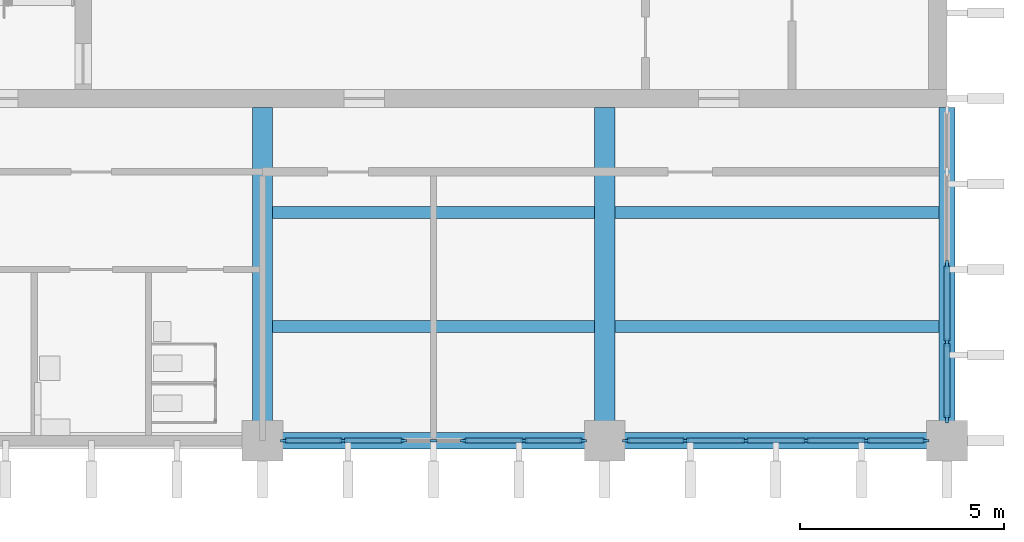
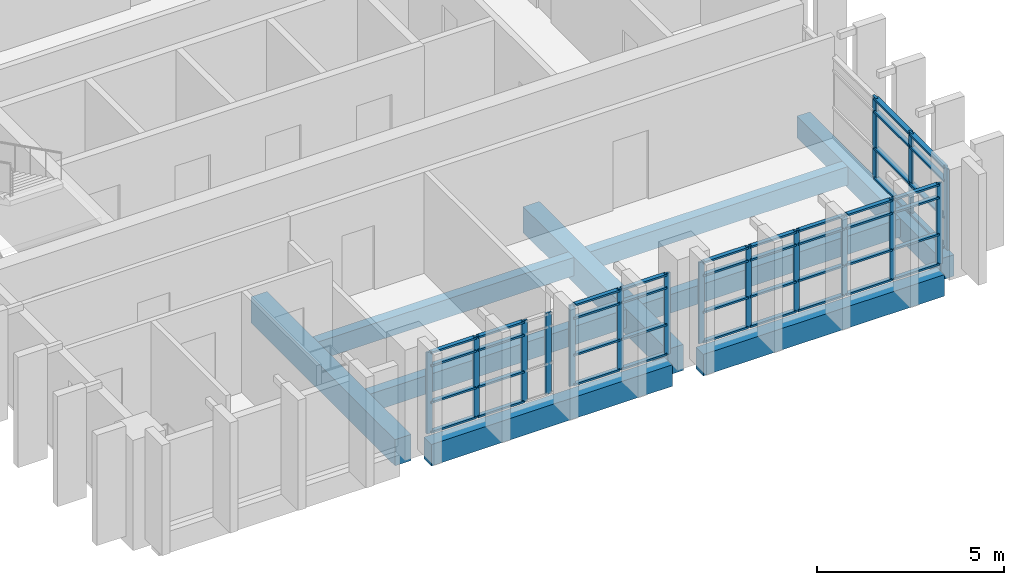
# One storey, part 2 of 11: 60 members, 9 beams, 3 elements without a shape of their own.
"""IFC4 building model written with IfcOpenShell, lengths in metres."""

from ifc_helpers import new_model, si_unit, direction, frame, origin, origin_2d, place, context, subcontext, project, spatial, rectangle, extrude, material, layer, layer_set, material_profile, profile_set, type_object, element, aggregate, save


model = new_model("IFC4")

# Units and contexts
model_context = context("Model", 3, precision=1e-05, world=origin(), true_north=direction((0.0, 1.0)))
body_context = subcontext(model_context, "Body", "Model", "MODEL_VIEW")
ifc_project = project(units=[si_unit("LENGTHUNIT", "METRE"), si_unit("AREAUNIT", "SQUARE_METRE"), si_unit("VOLUMEUNIT", "CUBIC_METRE"), si_unit("PLANEANGLEUNIT", "RADIAN"), si_unit("MASSUNIT", "GRAM", prefix="KILO")], contexts=[model_context])

# Site, building, storey
site_placement = place(None, origin())
site = spatial("IfcSite", under=ifc_project, at=site_placement, CompositionType="ELEMENT")
building_placement = place(site_placement, origin())
building = spatial("IfcBuilding", under=site, at=building_placement, Name="Rulbaag Community and Learning Centre", CompositionType="ELEMENT")
storey_placement = place(building_placement, frame((0.0, 0.0, 21.60009765625)))
storey = spatial("IfcBuildingStorey", under=building, at=storey_placement, Name="L05", CompositionType="ELEMENT", Elevation=21.60009765625)

# Beams
ifc_material_1 = material(Name="Concrete M40", Category="concrete")
ifc_material_profile_1 = material_profile(ifc_material_1, rectangle(XDim=0.39990234375, YDim=0.699951171875, at=origin_2d()), Name="RB400x700")
ifc_profile_set_1 = profile_set([ifc_material_profile_1], Name="Concrete M40")
beam_type_1 = type_object("IfcBeamType", Name="B17 Tower edge beam, lower zone 400x700 Concrete M40", PredefinedType="BEAM", material=ifc_profile_set_1)
beam_1_placement = place(storey_placement, frame((151.679931640625, 84.0, -0.60009765625), z_axis=(1.0, 0.0, 0.0), x_axis=(0.0, 1.0, 0.0)))
element("IfcBeam", 1, at=beam_1_placement, inside=storey, type_object=beam_type_1, Name="BM-L05-19K-20K", PredefinedType="BEAM", context=body_context, shape_type="SweptSolid", body=[
    extrude(rectangle(XDim=0.39990234375, YDim=0.699951171875, at=origin_2d()), origin(), (0.0, 0.0, 1.0), 7.440185546875),
])
beam_2_placement = place(storey_placement, frame((160.080078125, 84.0, -0.60009765625), z_axis=(1.0, 0.0, 0.0), x_axis=(0.0, 1.0, 0.0)))
element("IfcBeam", 2, at=beam_2_placement, inside=storey, type_object=beam_type_1, Name="BM-L05-20K-21K", PredefinedType="BEAM", context=body_context, shape_type="SweptSolid", body=[
    extrude(rectangle(XDim=0.39990234375, YDim=0.699951171875, at=origin_2d()), origin(), (0.0, 0.0, 1.0), 7.43994140625),
])
beam_3_placement = place(storey_placement, frame((168.0, 84.47998046875, -0.60009765625), z_axis=(0.0, 1.0, 0.0), x_axis=(-1.0, 0.0, 0.0)))
element("IfcBeam", 3, at=beam_3_placement, inside=storey, type_object=beam_type_1, Name="BM-L05-21K-21L", PredefinedType="BEAM", context=body_context, shape_type="SweptSolid", body=[
    extrude(rectangle(XDim=0.39990234375, YDim=0.699951171875, at=origin_2d()), origin(), (0.0, 0.0, 1.0), 7.695068359375),
])
ifc_material_profile_2 = material_profile(ifc_material_1, rectangle(XDim=0.5, YDim=0.85009765625, at=origin_2d()), Name="RB500x850")
ifc_profile_set_2 = profile_set([ifc_material_profile_2], Name="Concrete M40")
beam_type_2 = type_object("IfcBeamType", Name="B18 Core-framing beam, lower zone 500x850 Concrete M40", PredefinedType="BEAM", material=ifc_profile_set_2)
for number, where, z_axis, x_axis, name in (
    (4, (151.199951171875, 84.47998046875, -0.675048828125), (0.0, 1.0, 0.0), (-1.0, 0.0, 0.0), "BM-L05-19K-19L"),
    (5, (159.60009765625, 84.47998046875, -0.675048828125), (0.0, 1.0, 0.0), (-1.0, 0.0, 0.0), "BM-L05-20K-20L"),
):
    element("IfcBeam", number, at=place(storey_placement, frame(where, z_axis=z_axis, x_axis=x_axis)), inside=storey, type_object=beam_type_2, Name=name, PredefinedType="BEAM", context=body_context, shape_type="SweptSolid", body=[
        extrude(rectangle(XDim=0.5, YDim=0.85009765625, at=origin_2d()), origin(), (0.0, 0.0, 1.0), 7.695068359375),
    ])
ifc_material_profile_3 = material_profile(ifc_material_1, rectangle(XDim=0.300048828125, YDim=0.60009765625, at=origin_2d()), Name="RB300x600")
ifc_profile_set_3 = profile_set([ifc_material_profile_3], Name="Concrete M40")
beam_type_3 = type_object("IfcBeamType", Name="B30 Secondary joist 300x600 Concrete M40", PredefinedType="BEAM", material=ifc_profile_set_3)
for number, where, z_axis, x_axis, name in (
    (6, (151.449951171875, 86.800048828125, -0.550048828125), (1.0, 0.0, 0.0), (0.0, 1.0, 0.0), "BM-JS-L05-19K-1"),
    (7, (151.449951171875, 89.60009765625, -0.550048828125), (1.0, 0.0, 0.0), (0.0, 1.0, 0.0), "BM-JS-L05-19K-2"),
):
    element("IfcBeam", number, at=place(storey_placement, frame(where, z_axis=z_axis, x_axis=x_axis)), inside=storey, type_object=beam_type_3, Name=name, PredefinedType="BEAM", context=body_context, shape_type="SweptSolid", body=[
        extrude(rectangle(XDim=0.300048828125, YDim=0.60009765625, at=origin_2d()), origin(), (0.0, 0.0, 1.0), 7.900146484375),
    ])
for number, where, z_axis, x_axis, name in (
    (8, (159.85009765625, 86.800048828125, -0.550048828125), (1.0, 0.0, 0.0), (0.0, 1.0, 0.0), "BM-JS-L05-20K-1"),
    (9, (159.85009765625, 89.60009765625, -0.550048828125), (1.0, 0.0, 0.0), (0.0, 1.0, 0.0), "BM-JS-L05-20K-2"),
):
    element("IfcBeam", number, at=place(storey_placement, frame(where, z_axis=z_axis, x_axis=x_axis)), inside=storey, type_object=beam_type_3, Name=name, PredefinedType="BEAM", context=body_context, shape_type="SweptSolid", body=[
        extrude(rectangle(XDim=0.300048828125, YDim=0.60009765625, at=origin_2d()), origin(), (0.0, 0.0, 1.0), 7.949951171875),
    ])

# Curtain wall, members
ifc_material_2 = material(Name="Aluminium", Category="aluminium")
ifc_layer_1 = layer(ifc_material_2, 0.14990234375)
ifc_layer_set_1 = layer_set([ifc_layer_1], Name="CW-S")
curtain_wall_type_1 = type_object("IfcCurtainWallType", Name="CW-S", PredefinedType="USERDEFINED", material=ifc_layer_set_1)
curtain_wall_1_placement = place(storey_placement, origin())
curtain_wall_1 = element("IfcCurtainWall", 10, at=curtain_wall_1_placement, inside=storey, type_object=curtain_wall_type_1, Name="GS-L05-01", ObjectType="UNITISED CURTAIN WALL", PredefinedType="USERDEFINED")
ifc_material_3 = material(Name="Aluminium mullion", Category="aluminium")
ifc_material_profile_4 = material_profile(ifc_material_3, rectangle(XDim=0.06005859375, YDim=0.175048828125, at=origin_2d()), Name="AL 60x175")
ifc_profile_set_4 = profile_set([ifc_material_profile_4], Name="Aluminium mullion")
member_type_1 = type_object("IfcMemberType", Name="CW-S-MUL", PredefinedType="MULLION", material=ifc_profile_set_4)
member_1_placement = place(storey_placement, frame((151.72998046875, 84.0, 0.0), z_axis=(0.0, 0.0, 1.0), x_axis=(0.0, 1.0, 0.0)))
member_1 = element("IfcMember", 11, at=member_1_placement, type_object=member_type_1, Name="GS mullion 1", PredefinedType="MULLION", context=body_context, shape_type="SweptSolid", body=[
    extrude(rectangle(XDim=0.06005859375, YDim=0.175048828125, at=origin_2d()), origin(), (0.0, 0.0, 1.0), 2.64990234375),
])
member_2_placement = place(storey_placement, frame((153.179931640625, 84.0, 0.0), z_axis=(0.0, 0.0, 1.0), x_axis=(0.0, 1.0, 0.0)))
member_2 = element("IfcMember", 12, at=member_2_placement, type_object=member_type_1, Name="GS mullion 2", PredefinedType="MULLION", context=body_context, shape_type="SweptSolid", body=[
    extrude(rectangle(XDim=0.06005859375, YDim=0.175048828125, at=origin_2d()), origin(), (0.0, 0.0, 1.0), 2.64990234375),
])
member_3_placement = place(storey_placement, frame((154.659912109375, 84.0, 0.0), z_axis=(0.0, 0.0, 1.0), x_axis=(0.0, 1.0, 0.0)))
member_3 = element("IfcMember", 13, at=member_3_placement, type_object=member_type_1, Name="GS mullion 3", PredefinedType="MULLION", context=body_context, shape_type="SweptSolid", body=[
    extrude(rectangle(XDim=0.06005859375, YDim=0.175048828125, at=origin_2d()), origin(), (0.0, 0.0, 1.0), 2.64990234375),
])
member_4_placement = place(storey_placement, frame((155.39990234375, 84.0, 0.0), z_axis=(0.0, 0.0, 1.0), x_axis=(0.0, 1.0, 0.0)))
member_4 = element("IfcMember", 14, at=member_4_placement, type_object=member_type_1, Name="GS mullion 4", PredefinedType="MULLION", context=body_context, shape_type="SweptSolid", body=[
    extrude(rectangle(XDim=0.06005859375, YDim=0.175048828125, at=origin_2d()), origin(), (0.0, 0.0, 1.0), 2.64990234375),
])
member_5_placement = place(storey_placement, frame((156.139892578125, 84.0, 0.0), z_axis=(0.0, 0.0, 1.0), x_axis=(0.0, 1.0, 0.0)))
member_5 = element("IfcMember", 15, at=member_5_placement, type_object=member_type_1, Name="GS mullion 5", PredefinedType="MULLION", context=body_context, shape_type="SweptSolid", body=[
    extrude(rectangle(XDim=0.06005859375, YDim=0.175048828125, at=origin_2d()), origin(), (0.0, 0.0, 1.0), 2.64990234375),
])
member_6_placement = place(storey_placement, frame((157.6201171875, 84.0, 0.0), z_axis=(0.0, 0.0, 1.0), x_axis=(0.0, 1.0, 0.0)))
member_6 = element("IfcMember", 16, at=member_6_placement, type_object=member_type_1, Name="GS mullion 6", PredefinedType="MULLION", context=body_context, shape_type="SweptSolid", body=[
    extrude(rectangle(XDim=0.06005859375, YDim=0.175048828125, at=origin_2d()), origin(), (0.0, 0.0, 1.0), 2.64990234375),
])
member_7_placement = place(storey_placement, frame((159.070068359375, 84.0, 0.0), z_axis=(0.0, 0.0, 1.0), x_axis=(0.0, 1.0, 0.0)))
member_7 = element("IfcMember", 17, at=member_7_placement, type_object=member_type_1, Name="GS mullion 7", PredefinedType="MULLION", context=body_context, shape_type="SweptSolid", body=[
    extrude(rectangle(XDim=0.06005859375, YDim=0.175048828125, at=origin_2d()), origin(), (0.0, 0.0, 1.0), 2.64990234375),
])

curtain_wall_2_placement = place(storey_placement, origin())
curtain_wall_2 = element("IfcCurtainWall", 18, at=curtain_wall_2_placement, inside=storey, type_object=curtain_wall_type_1, Name="GS-L05-02", ObjectType="UNITISED CURTAIN WALL", PredefinedType="USERDEFINED")
member_8_placement = place(storey_placement, frame((160.1298828125, 84.0, 0.0), z_axis=(0.0, 0.0, 1.0), x_axis=(0.0, 1.0, 0.0)))
member_8 = element("IfcMember", 19, at=member_8_placement, type_object=member_type_1, Name="GS mullion 1", PredefinedType="MULLION", context=body_context, shape_type="SweptSolid", body=[
    extrude(rectangle(XDim=0.06005859375, YDim=0.175048828125, at=origin_2d()), origin(), (0.0, 0.0, 1.0), 2.64990234375),
])
member_9_placement = place(storey_placement, frame((161.580078125, 84.0, 0.0), z_axis=(0.0, 0.0, 1.0), x_axis=(0.0, 1.0, 0.0)))
member_9 = element("IfcMember", 20, at=member_9_placement, type_object=member_type_1, Name="GS mullion 2", PredefinedType="MULLION", context=body_context, shape_type="SweptSolid", body=[
    extrude(rectangle(XDim=0.06005859375, YDim=0.175048828125, at=origin_2d()), origin(), (0.0, 0.0, 1.0), 2.64990234375),
])
member_10_placement = place(storey_placement, frame((163.06005859375, 84.0, 0.0), z_axis=(0.0, 0.0, 1.0), x_axis=(0.0, 1.0, 0.0)))
member_10 = element("IfcMember", 21, at=member_10_placement, type_object=member_type_1, Name="GS mullion 3", PredefinedType="MULLION", context=body_context, shape_type="SweptSolid", body=[
    extrude(rectangle(XDim=0.06005859375, YDim=0.175048828125, at=origin_2d()), origin(), (0.0, 0.0, 1.0), 2.64990234375),
])
member_11_placement = place(storey_placement, frame((164.5400390625, 84.0, 0.0), z_axis=(0.0, 0.0, 1.0), x_axis=(0.0, 1.0, 0.0)))
member_11 = element("IfcMember", 22, at=member_11_placement, type_object=member_type_1, Name="GS mullion 4", PredefinedType="MULLION", context=body_context, shape_type="SweptSolid", body=[
    extrude(rectangle(XDim=0.06005859375, YDim=0.175048828125, at=origin_2d()), origin(), (0.0, 0.0, 1.0), 2.64990234375),
])
member_12_placement = place(storey_placement, frame((166.02001953125, 84.0, 0.0), z_axis=(0.0, 0.0, 1.0), x_axis=(0.0, 1.0, 0.0)))
member_12 = element("IfcMember", 23, at=member_12_placement, type_object=member_type_1, Name="GS mullion 5", PredefinedType="MULLION", context=body_context, shape_type="SweptSolid", body=[
    extrude(rectangle(XDim=0.06005859375, YDim=0.175048828125, at=origin_2d()), origin(), (0.0, 0.0, 1.0), 2.64990234375),
])
member_13_placement = place(storey_placement, frame((167.469970703125, 84.0, 0.0), z_axis=(0.0, 0.0, 1.0), x_axis=(0.0, 1.0, 0.0)))
member_13 = element("IfcMember", 24, at=member_13_placement, type_object=member_type_1, Name="GS mullion 6", PredefinedType="MULLION", context=body_context, shape_type="SweptSolid", body=[
    extrude(rectangle(XDim=0.06005859375, YDim=0.175048828125, at=origin_2d()), origin(), (0.0, 0.0, 1.0), 2.64990234375),
])

# Member
ifc_material_4 = material(Name="Aluminium transom", Category="aluminium")
ifc_material_profile_5 = material_profile(ifc_material_4, rectangle(XDim=0.125, YDim=0.06005859375, at=origin_2d()), Name="AL 60x125 T")
ifc_profile_set_5 = profile_set([ifc_material_profile_5], Name="Aluminium transom")
member_type_2 = type_object("IfcMemberType", Name="CW-S-TRN", PredefinedType="USERDEFINED", material=ifc_profile_set_5)
member_14_placement = place(storey_placement, frame((151.760009765625, 84.0, 0.02978515625), z_axis=(1.0, 0.0, 0.0), x_axis=(0.0, 1.0, 0.0)))
member_14 = element("IfcMember", 25, at=member_14_placement, type_object=member_type_2, Name="GS transom 1.1", ObjectType="TRANSOM", PredefinedType="USERDEFINED", context=body_context, shape_type="SweptSolid", body=[
    extrude(rectangle(XDim=0.125, YDim=0.06005859375, at=origin_2d()), origin(), (0.0, 0.0, 1.0), 1.389892578125),
])

member_15_placement = place(storey_placement, frame((151.760009765625, 84.0, 1.0), z_axis=(1.0, 0.0, 0.0), x_axis=(0.0, 1.0, 0.0)))
member_15 = element("IfcMember", 26, at=member_15_placement, type_object=member_type_2, Name="GS transom 1.2", ObjectType="TRANSOM", PredefinedType="USERDEFINED", context=body_context, shape_type="SweptSolid", body=[
    extrude(rectangle(XDim=0.125, YDim=0.06005859375, at=origin_2d()), origin(), (0.0, 0.0, 1.0), 1.389892578125),
])

member_16_placement = place(storey_placement, frame((151.760009765625, 84.0, 2.199951171875), z_axis=(1.0, 0.0, 0.0), x_axis=(0.0, 1.0, 0.0)))
member_16 = element("IfcMember", 27, at=member_16_placement, type_object=member_type_2, Name="GS transom 1.3", ObjectType="TRANSOM", PredefinedType="USERDEFINED", context=body_context, shape_type="SweptSolid", body=[
    extrude(rectangle(XDim=0.125, YDim=0.06005859375, at=origin_2d()), origin(), (0.0, 0.0, 1.0), 1.389892578125),
])

member_17_placement = place(storey_placement, frame((151.760009765625, 84.0, 2.619873046875), z_axis=(1.0, 0.0, 0.0), x_axis=(0.0, 1.0, 0.0)))
member_17 = element("IfcMember", 28, at=member_17_placement, type_object=member_type_2, Name="GS transom 1.4", ObjectType="TRANSOM", PredefinedType="USERDEFINED", context=body_context, shape_type="SweptSolid", body=[
    extrude(rectangle(XDim=0.125, YDim=0.06005859375, at=origin_2d()), origin(), (0.0, 0.0, 1.0), 1.389892578125),
])

member_18_placement = place(storey_placement, frame((153.2099609375, 84.0, 0.02978515625), z_axis=(1.0, 0.0, 0.0), x_axis=(0.0, 1.0, 0.0)))
member_18 = element("IfcMember", 29, at=member_18_placement, type_object=member_type_2, Name="GS transom 2.1", ObjectType="TRANSOM", PredefinedType="USERDEFINED", context=body_context, shape_type="SweptSolid", body=[
    extrude(rectangle(XDim=0.125, YDim=0.06005859375, at=origin_2d()), origin(), (0.0, 0.0, 1.0), 1.419921875),
])

member_19_placement = place(storey_placement, frame((153.2099609375, 84.0, 1.0), z_axis=(1.0, 0.0, 0.0), x_axis=(0.0, 1.0, 0.0)))
member_19 = element("IfcMember", 30, at=member_19_placement, type_object=member_type_2, Name="GS transom 2.2", ObjectType="TRANSOM", PredefinedType="USERDEFINED", context=body_context, shape_type="SweptSolid", body=[
    extrude(rectangle(XDim=0.125, YDim=0.06005859375, at=origin_2d()), origin(), (0.0, 0.0, 1.0), 1.419921875),
])

member_20_placement = place(storey_placement, frame((153.2099609375, 84.0, 2.199951171875), z_axis=(1.0, 0.0, 0.0), x_axis=(0.0, 1.0, 0.0)))
member_20 = element("IfcMember", 31, at=member_20_placement, type_object=member_type_2, Name="GS transom 2.3", ObjectType="TRANSOM", PredefinedType="USERDEFINED", context=body_context, shape_type="SweptSolid", body=[
    extrude(rectangle(XDim=0.125, YDim=0.06005859375, at=origin_2d()), origin(), (0.0, 0.0, 1.0), 1.419921875),
])

member_21_placement = place(storey_placement, frame((153.2099609375, 84.0, 2.619873046875), z_axis=(1.0, 0.0, 0.0), x_axis=(0.0, 1.0, 0.0)))
member_21 = element("IfcMember", 32, at=member_21_placement, type_object=member_type_2, Name="GS transom 2.4", ObjectType="TRANSOM", PredefinedType="USERDEFINED", context=body_context, shape_type="SweptSolid", body=[
    extrude(rectangle(XDim=0.125, YDim=0.06005859375, at=origin_2d()), origin(), (0.0, 0.0, 1.0), 1.419921875),
])

member_22_placement = place(storey_placement, frame((156.169921875, 84.0, 0.02978515625), z_axis=(1.0, 0.0, 0.0), x_axis=(0.0, 1.0, 0.0)))
member_22 = element("IfcMember", 33, at=member_22_placement, type_object=member_type_2, Name="GS transom 5.1", ObjectType="TRANSOM", PredefinedType="USERDEFINED", context=body_context, shape_type="SweptSolid", body=[
    extrude(rectangle(XDim=0.125, YDim=0.06005859375, at=origin_2d()), origin(), (0.0, 0.0, 1.0), 1.420166015625),
])

member_23_placement = place(storey_placement, frame((156.169921875, 84.0, 1.0), z_axis=(1.0, 0.0, 0.0), x_axis=(0.0, 1.0, 0.0)))
member_23 = element("IfcMember", 34, at=member_23_placement, type_object=member_type_2, Name="GS transom 5.2", ObjectType="TRANSOM", PredefinedType="USERDEFINED", context=body_context, shape_type="SweptSolid", body=[
    extrude(rectangle(XDim=0.125, YDim=0.06005859375, at=origin_2d()), origin(), (0.0, 0.0, 1.0), 1.420166015625),
])

member_24_placement = place(storey_placement, frame((156.169921875, 84.0, 2.199951171875), z_axis=(1.0, 0.0, 0.0), x_axis=(0.0, 1.0, 0.0)))
member_24 = element("IfcMember", 35, at=member_24_placement, type_object=member_type_2, Name="GS transom 5.3", ObjectType="TRANSOM", PredefinedType="USERDEFINED", context=body_context, shape_type="SweptSolid", body=[
    extrude(rectangle(XDim=0.125, YDim=0.06005859375, at=origin_2d()), origin(), (0.0, 0.0, 1.0), 1.420166015625),
])

member_25_placement = place(storey_placement, frame((156.169921875, 84.0, 2.619873046875), z_axis=(1.0, 0.0, 0.0), x_axis=(0.0, 1.0, 0.0)))
member_25 = element("IfcMember", 36, at=member_25_placement, type_object=member_type_2, Name="GS transom 5.4", ObjectType="TRANSOM", PredefinedType="USERDEFINED", context=body_context, shape_type="SweptSolid", body=[
    extrude(rectangle(XDim=0.125, YDim=0.06005859375, at=origin_2d()), origin(), (0.0, 0.0, 1.0), 1.420166015625),
])

member_26_placement = place(storey_placement, frame((157.64990234375, 84.0, 0.02978515625), z_axis=(1.0, 0.0, 0.0), x_axis=(0.0, 1.0, 0.0)))
member_26 = element("IfcMember", 37, at=member_26_placement, type_object=member_type_2, Name="GS transom 6.1", ObjectType="TRANSOM", PredefinedType="USERDEFINED", context=body_context, shape_type="SweptSolid", body=[
    extrude(rectangle(XDim=0.125, YDim=0.06005859375, at=origin_2d()), origin(), (0.0, 0.0, 1.0), 1.39013671875),
])

member_27_placement = place(storey_placement, frame((157.64990234375, 84.0, 1.0), z_axis=(1.0, 0.0, 0.0), x_axis=(0.0, 1.0, 0.0)))
member_27 = element("IfcMember", 38, at=member_27_placement, type_object=member_type_2, Name="GS transom 6.2", ObjectType="TRANSOM", PredefinedType="USERDEFINED", context=body_context, shape_type="SweptSolid", body=[
    extrude(rectangle(XDim=0.125, YDim=0.06005859375, at=origin_2d()), origin(), (0.0, 0.0, 1.0), 1.39013671875),
])

member_28_placement = place(storey_placement, frame((157.64990234375, 84.0, 2.199951171875), z_axis=(1.0, 0.0, 0.0), x_axis=(0.0, 1.0, 0.0)))
member_28 = element("IfcMember", 39, at=member_28_placement, type_object=member_type_2, Name="GS transom 6.3", ObjectType="TRANSOM", PredefinedType="USERDEFINED", context=body_context, shape_type="SweptSolid", body=[
    extrude(rectangle(XDim=0.125, YDim=0.06005859375, at=origin_2d()), origin(), (0.0, 0.0, 1.0), 1.39013671875),
])

member_29_placement = place(storey_placement, frame((157.64990234375, 84.0, 2.619873046875), z_axis=(1.0, 0.0, 0.0), x_axis=(0.0, 1.0, 0.0)))
member_29 = element("IfcMember", 40, at=member_29_placement, type_object=member_type_2, Name="GS transom 6.4", ObjectType="TRANSOM", PredefinedType="USERDEFINED", context=body_context, shape_type="SweptSolid", body=[
    extrude(rectangle(XDim=0.125, YDim=0.06005859375, at=origin_2d()), origin(), (0.0, 0.0, 1.0), 1.39013671875),
])

aggregate(curtain_wall_1, [member_1, member_2, member_3, member_4, member_5, member_6, member_7, member_14, member_15, member_16, member_17, member_18, member_19, member_20, member_21, member_22, member_23, member_24, member_25, member_26, member_27, member_28, member_29])

member_30_placement = place(storey_placement, frame((160.159912109375, 84.0, 0.02978515625), z_axis=(1.0, 0.0, 0.0), x_axis=(0.0, 1.0, 0.0)))
member_30 = element("IfcMember", 41, at=member_30_placement, type_object=member_type_2, Name="GS transom 1.1", ObjectType="TRANSOM", PredefinedType="USERDEFINED", context=body_context, shape_type="SweptSolid", body=[
    extrude(rectangle(XDim=0.125, YDim=0.06005859375, at=origin_2d()), origin(), (0.0, 0.0, 1.0), 1.39013671875),
])

member_31_placement = place(storey_placement, frame((160.159912109375, 84.0, 1.0), z_axis=(1.0, 0.0, 0.0), x_axis=(0.0, 1.0, 0.0)))
member_31 = element("IfcMember", 42, at=member_31_placement, type_object=member_type_2, Name="GS transom 1.2", ObjectType="TRANSOM", PredefinedType="USERDEFINED", context=body_context, shape_type="SweptSolid", body=[
    extrude(rectangle(XDim=0.125, YDim=0.06005859375, at=origin_2d()), origin(), (0.0, 0.0, 1.0), 1.39013671875),
])

member_32_placement = place(storey_placement, frame((160.159912109375, 84.0, 2.199951171875), z_axis=(1.0, 0.0, 0.0), x_axis=(0.0, 1.0, 0.0)))
member_32 = element("IfcMember", 43, at=member_32_placement, type_object=member_type_2, Name="GS transom 1.3", ObjectType="TRANSOM", PredefinedType="USERDEFINED", context=body_context, shape_type="SweptSolid", body=[
    extrude(rectangle(XDim=0.125, YDim=0.06005859375, at=origin_2d()), origin(), (0.0, 0.0, 1.0), 1.39013671875),
])

member_33_placement = place(storey_placement, frame((160.159912109375, 84.0, 2.619873046875), z_axis=(1.0, 0.0, 0.0), x_axis=(0.0, 1.0, 0.0)))
member_33 = element("IfcMember", 44, at=member_33_placement, type_object=member_type_2, Name="GS transom 1.4", ObjectType="TRANSOM", PredefinedType="USERDEFINED", context=body_context, shape_type="SweptSolid", body=[
    extrude(rectangle(XDim=0.125, YDim=0.06005859375, at=origin_2d()), origin(), (0.0, 0.0, 1.0), 1.39013671875),
])

member_34_placement = place(storey_placement, frame((161.610107421875, 84.0, 0.02978515625), z_axis=(1.0, 0.0, 0.0), x_axis=(0.0, 1.0, 0.0)))
member_34 = element("IfcMember", 45, at=member_34_placement, type_object=member_type_2, Name="GS transom 2.1", ObjectType="TRANSOM", PredefinedType="USERDEFINED", context=body_context, shape_type="SweptSolid", body=[
    extrude(rectangle(XDim=0.125, YDim=0.06005859375, at=origin_2d()), origin(), (0.0, 0.0, 1.0), 1.419921875),
])

member_35_placement = place(storey_placement, frame((161.610107421875, 84.0, 1.0), z_axis=(1.0, 0.0, 0.0), x_axis=(0.0, 1.0, 0.0)))
member_35 = element("IfcMember", 46, at=member_35_placement, type_object=member_type_2, Name="GS transom 2.2", ObjectType="TRANSOM", PredefinedType="USERDEFINED", context=body_context, shape_type="SweptSolid", body=[
    extrude(rectangle(XDim=0.125, YDim=0.06005859375, at=origin_2d()), origin(), (0.0, 0.0, 1.0), 1.419921875),
])

member_36_placement = place(storey_placement, frame((161.610107421875, 84.0, 2.199951171875), z_axis=(1.0, 0.0, 0.0), x_axis=(0.0, 1.0, 0.0)))
member_36 = element("IfcMember", 47, at=member_36_placement, type_object=member_type_2, Name="GS transom 2.3", ObjectType="TRANSOM", PredefinedType="USERDEFINED", context=body_context, shape_type="SweptSolid", body=[
    extrude(rectangle(XDim=0.125, YDim=0.06005859375, at=origin_2d()), origin(), (0.0, 0.0, 1.0), 1.419921875),
])

member_37_placement = place(storey_placement, frame((161.610107421875, 84.0, 2.619873046875), z_axis=(1.0, 0.0, 0.0), x_axis=(0.0, 1.0, 0.0)))
member_37 = element("IfcMember", 48, at=member_37_placement, type_object=member_type_2, Name="GS transom 2.4", ObjectType="TRANSOM", PredefinedType="USERDEFINED", context=body_context, shape_type="SweptSolid", body=[
    extrude(rectangle(XDim=0.125, YDim=0.06005859375, at=origin_2d()), origin(), (0.0, 0.0, 1.0), 1.419921875),
])

member_38_placement = place(storey_placement, frame((163.090087890625, 84.0, 0.02978515625), z_axis=(1.0, 0.0, 0.0), x_axis=(0.0, 1.0, 0.0)))
member_38 = element("IfcMember", 49, at=member_38_placement, type_object=member_type_2, Name="GS transom 3.1", ObjectType="TRANSOM", PredefinedType="USERDEFINED", context=body_context, shape_type="SweptSolid", body=[
    extrude(rectangle(XDim=0.125, YDim=0.06005859375, at=origin_2d()), origin(), (0.0, 0.0, 1.0), 1.419921875),
])

member_39_placement = place(storey_placement, frame((163.090087890625, 84.0, 1.0), z_axis=(1.0, 0.0, 0.0), x_axis=(0.0, 1.0, 0.0)))
member_39 = element("IfcMember", 50, at=member_39_placement, type_object=member_type_2, Name="GS transom 3.2", ObjectType="TRANSOM", PredefinedType="USERDEFINED", context=body_context, shape_type="SweptSolid", body=[
    extrude(rectangle(XDim=0.125, YDim=0.06005859375, at=origin_2d()), origin(), (0.0, 0.0, 1.0), 1.419921875),
])

member_40_placement = place(storey_placement, frame((163.090087890625, 84.0, 2.199951171875), z_axis=(1.0, 0.0, 0.0), x_axis=(0.0, 1.0, 0.0)))
member_40 = element("IfcMember", 51, at=member_40_placement, type_object=member_type_2, Name="GS transom 3.3", ObjectType="TRANSOM", PredefinedType="USERDEFINED", context=body_context, shape_type="SweptSolid", body=[
    extrude(rectangle(XDim=0.125, YDim=0.06005859375, at=origin_2d()), origin(), (0.0, 0.0, 1.0), 1.419921875),
])

member_41_placement = place(storey_placement, frame((163.090087890625, 84.0, 2.619873046875), z_axis=(1.0, 0.0, 0.0), x_axis=(0.0, 1.0, 0.0)))
member_41 = element("IfcMember", 52, at=member_41_placement, type_object=member_type_2, Name="GS transom 3.4", ObjectType="TRANSOM", PredefinedType="USERDEFINED", context=body_context, shape_type="SweptSolid", body=[
    extrude(rectangle(XDim=0.125, YDim=0.06005859375, at=origin_2d()), origin(), (0.0, 0.0, 1.0), 1.419921875),
])

member_42_placement = place(storey_placement, frame((164.570068359375, 84.0, 0.02978515625), z_axis=(1.0, 0.0, 0.0), x_axis=(0.0, 1.0, 0.0)))
member_42 = element("IfcMember", 53, at=member_42_placement, type_object=member_type_2, Name="GS transom 4.1", ObjectType="TRANSOM", PredefinedType="USERDEFINED", context=body_context, shape_type="SweptSolid", body=[
    extrude(rectangle(XDim=0.125, YDim=0.06005859375, at=origin_2d()), origin(), (0.0, 0.0, 1.0), 1.419921875),
])

member_43_placement = place(storey_placement, frame((164.570068359375, 84.0, 1.0), z_axis=(1.0, 0.0, 0.0), x_axis=(0.0, 1.0, 0.0)))
member_43 = element("IfcMember", 54, at=member_43_placement, type_object=member_type_2, Name="GS transom 4.2", ObjectType="TRANSOM", PredefinedType="USERDEFINED", context=body_context, shape_type="SweptSolid", body=[
    extrude(rectangle(XDim=0.125, YDim=0.06005859375, at=origin_2d()), origin(), (0.0, 0.0, 1.0), 1.419921875),
])

member_44_placement = place(storey_placement, frame((164.570068359375, 84.0, 2.199951171875), z_axis=(1.0, 0.0, 0.0), x_axis=(0.0, 1.0, 0.0)))
member_44 = element("IfcMember", 55, at=member_44_placement, type_object=member_type_2, Name="GS transom 4.3", ObjectType="TRANSOM", PredefinedType="USERDEFINED", context=body_context, shape_type="SweptSolid", body=[
    extrude(rectangle(XDim=0.125, YDim=0.06005859375, at=origin_2d()), origin(), (0.0, 0.0, 1.0), 1.419921875),
])

member_45_placement = place(storey_placement, frame((164.570068359375, 84.0, 2.619873046875), z_axis=(1.0, 0.0, 0.0), x_axis=(0.0, 1.0, 0.0)))
member_45 = element("IfcMember", 56, at=member_45_placement, type_object=member_type_2, Name="GS transom 4.4", ObjectType="TRANSOM", PredefinedType="USERDEFINED", context=body_context, shape_type="SweptSolid", body=[
    extrude(rectangle(XDim=0.125, YDim=0.06005859375, at=origin_2d()), origin(), (0.0, 0.0, 1.0), 1.419921875),
])

member_46_placement = place(storey_placement, frame((166.050048828125, 84.0, 0.02978515625), z_axis=(1.0, 0.0, 0.0), x_axis=(0.0, 1.0, 0.0)))
member_46 = element("IfcMember", 57, at=member_46_placement, type_object=member_type_2, Name="GS transom 5.1", ObjectType="TRANSOM", PredefinedType="USERDEFINED", context=body_context, shape_type="SweptSolid", body=[
    extrude(rectangle(XDim=0.125, YDim=0.06005859375, at=origin_2d()), origin(), (0.0, 0.0, 1.0), 1.389892578125),
])

member_47_placement = place(storey_placement, frame((166.050048828125, 84.0, 1.0), z_axis=(1.0, 0.0, 0.0), x_axis=(0.0, 1.0, 0.0)))
member_47 = element("IfcMember", 58, at=member_47_placement, type_object=member_type_2, Name="GS transom 5.2", ObjectType="TRANSOM", PredefinedType="USERDEFINED", context=body_context, shape_type="SweptSolid", body=[
    extrude(rectangle(XDim=0.125, YDim=0.06005859375, at=origin_2d()), origin(), (0.0, 0.0, 1.0), 1.389892578125),
])

member_48_placement = place(storey_placement, frame((166.050048828125, 84.0, 2.199951171875), z_axis=(1.0, 0.0, 0.0), x_axis=(0.0, 1.0, 0.0)))
member_48 = element("IfcMember", 59, at=member_48_placement, type_object=member_type_2, Name="GS transom 5.3", ObjectType="TRANSOM", PredefinedType="USERDEFINED", context=body_context, shape_type="SweptSolid", body=[
    extrude(rectangle(XDim=0.125, YDim=0.06005859375, at=origin_2d()), origin(), (0.0, 0.0, 1.0), 1.389892578125),
])

member_49_placement = place(storey_placement, frame((166.050048828125, 84.0, 2.619873046875), z_axis=(1.0, 0.0, 0.0), x_axis=(0.0, 1.0, 0.0)))
member_49 = element("IfcMember", 60, at=member_49_placement, type_object=member_type_2, Name="GS transom 5.4", ObjectType="TRANSOM", PredefinedType="USERDEFINED", context=body_context, shape_type="SweptSolid", body=[
    extrude(rectangle(XDim=0.125, YDim=0.06005859375, at=origin_2d()), origin(), (0.0, 0.0, 1.0), 1.389892578125),
])

aggregate(curtain_wall_2, [member_8, member_9, member_10, member_11, member_12, member_13, member_30, member_31, member_32, member_33, member_34, member_35, member_36, member_37, member_38, member_39, member_40, member_41, member_42, member_43, member_44, member_45, member_46, member_47, member_48, member_49])

# Curtain wall, members
ifc_layer_2 = layer(ifc_material_2, 0.14990234375)
ifc_layer_set_2 = layer_set([ifc_layer_2], Name="CW-T")
curtain_wall_type_2 = type_object("IfcCurtainWallType", Name="CW-T", PredefinedType="USERDEFINED", material=ifc_layer_set_2)
curtain_wall_3_placement = place(storey_placement, origin())
curtain_wall_3 = element("IfcCurtainWall", 61, at=curtain_wall_3_placement, inside=storey, type_object=curtain_wall_type_2, Name="GT-L05-05", ObjectType="UNITISED CURTAIN WALL", PredefinedType="USERDEFINED")
ifc_material_profile_6 = material_profile(ifc_material_3, rectangle(XDim=0.06494140625, YDim=0.199951171875, at=origin_2d()), Name="AL 65x200")
ifc_profile_set_6 = profile_set([ifc_material_profile_6], Name="Aluminium mullion")
member_type_3 = type_object("IfcMemberType", Name="CW-T-MUL", PredefinedType="MULLION", material=ifc_profile_set_6)
member_50_placement = place(storey_placement, frame((168.0, 84.532470703125, 0.0), z_axis=(0.0, 0.0, 1.0), x_axis=(-1.0, 0.0, 0.0)))
member_50 = element("IfcMember", 62, at=member_50_placement, type_object=member_type_3, Name="GT mullion 1", PredefinedType="MULLION", context=body_context, shape_type="SweptSolid", body=[
    extrude(rectangle(XDim=0.06494140625, YDim=0.199951171875, at=origin_2d()), origin(), (0.0, 0.0, 1.0), 2.64990234375),
])
member_51_placement = place(storey_placement, frame((168.0, 86.41259765625, 0.0), z_axis=(0.0, 0.0, 1.0), x_axis=(-1.0, 0.0, 0.0)))
member_51 = element("IfcMember", 63, at=member_51_placement, type_object=member_type_3, Name="GT mullion 2", PredefinedType="MULLION", context=body_context, shape_type="SweptSolid", body=[
    extrude(rectangle(XDim=0.06494140625, YDim=0.199951171875, at=origin_2d()), origin(), (0.0, 0.0, 1.0), 2.64990234375),
])
member_52_placement = place(storey_placement, frame((168.0, 88.324951171875, 0.0), z_axis=(0.0, 0.0, 1.0), x_axis=(-1.0, 0.0, 0.0)))
member_52 = element("IfcMember", 64, at=member_52_placement, type_object=member_type_3, Name="GT mullion 3", PredefinedType="MULLION", context=body_context, shape_type="SweptSolid", body=[
    extrude(rectangle(XDim=0.06494140625, YDim=0.199951171875, at=origin_2d()), origin(), (0.0, 0.0, 1.0), 2.64990234375),
])
ifc_material_profile_7 = material_profile(ifc_material_4, rectangle(XDim=0.14990234375, YDim=0.06494140625, at=origin_2d()), Name="AL 65x150 T")
ifc_profile_set_7 = profile_set([ifc_material_profile_7], Name="Aluminium transom")
member_type_4 = type_object("IfcMemberType", Name="CW-T-TRN", PredefinedType="USERDEFINED", material=ifc_profile_set_7)
member_53_placement = place(storey_placement, frame((168.0, 84.56494140625, 0.032470703125), z_axis=(0.0, 1.0, 0.0), x_axis=(-1.0, 0.0, 0.0)))
member_53 = element("IfcMember", 65, at=member_53_placement, type_object=member_type_4, Name="GT transom 1.1", ObjectType="TRANSOM", PredefinedType="USERDEFINED", context=body_context, shape_type="SweptSolid", body=[
    extrude(rectangle(XDim=0.14990234375, YDim=0.06494140625, at=origin_2d()), origin(), (0.0, 0.0, 1.0), 1.81494140625),
])
member_54_placement = place(storey_placement, frame((168.0, 84.56494140625, 1.0), z_axis=(0.0, 1.0, 0.0), x_axis=(-1.0, 0.0, 0.0)))
member_54 = element("IfcMember", 66, at=member_54_placement, type_object=member_type_4, Name="GT transom 1.2", ObjectType="TRANSOM", PredefinedType="USERDEFINED", context=body_context, shape_type="SweptSolid", body=[
    extrude(rectangle(XDim=0.14990234375, YDim=0.06494140625, at=origin_2d()), origin(), (0.0, 0.0, 1.0), 1.81494140625),
])
member_55_placement = place(storey_placement, frame((168.0, 84.56494140625, 2.199951171875), z_axis=(0.0, 1.0, 0.0), x_axis=(-1.0, 0.0, 0.0)))
member_55 = element("IfcMember", 67, at=member_55_placement, type_object=member_type_4, Name="GT transom 1.3", ObjectType="TRANSOM", PredefinedType="USERDEFINED", context=body_context, shape_type="SweptSolid", body=[
    extrude(rectangle(XDim=0.14990234375, YDim=0.06494140625, at=origin_2d()), origin(), (0.0, 0.0, 1.0), 1.81494140625),
])
member_56_placement = place(storey_placement, frame((168.0, 84.56494140625, 2.617431640625), z_axis=(0.0, 1.0, 0.0), x_axis=(-1.0, 0.0, 0.0)))
member_56 = element("IfcMember", 68, at=member_56_placement, type_object=member_type_4, Name="GT transom 1.4", ObjectType="TRANSOM", PredefinedType="USERDEFINED", context=body_context, shape_type="SweptSolid", body=[
    extrude(rectangle(XDim=0.14990234375, YDim=0.06494140625, at=origin_2d()), origin(), (0.0, 0.0, 1.0), 1.81494140625),
])
member_57_placement = place(storey_placement, frame((168.0, 86.445068359375, 0.032470703125), z_axis=(0.0, 1.0, 0.0), x_axis=(-1.0, 0.0, 0.0)))
member_57 = element("IfcMember", 69, at=member_57_placement, type_object=member_type_4, Name="GT transom 2.1", ObjectType="TRANSOM", PredefinedType="USERDEFINED", context=body_context, shape_type="SweptSolid", body=[
    extrude(rectangle(XDim=0.14990234375, YDim=0.06494140625, at=origin_2d()), origin(), (0.0, 0.0, 1.0), 1.847412109375),
])
member_58_placement = place(storey_placement, frame((168.0, 86.445068359375, 1.0), z_axis=(0.0, 1.0, 0.0), x_axis=(-1.0, 0.0, 0.0)))
member_58 = element("IfcMember", 70, at=member_58_placement, type_object=member_type_4, Name="GT transom 2.2", ObjectType="TRANSOM", PredefinedType="USERDEFINED", context=body_context, shape_type="SweptSolid", body=[
    extrude(rectangle(XDim=0.14990234375, YDim=0.06494140625, at=origin_2d()), origin(), (0.0, 0.0, 1.0), 1.847412109375),
])
member_59_placement = place(storey_placement, frame((168.0, 86.445068359375, 2.199951171875), z_axis=(0.0, 1.0, 0.0), x_axis=(-1.0, 0.0, 0.0)))
member_59 = element("IfcMember", 71, at=member_59_placement, type_object=member_type_4, Name="GT transom 2.3", ObjectType="TRANSOM", PredefinedType="USERDEFINED", context=body_context, shape_type="SweptSolid", body=[
    extrude(rectangle(XDim=0.14990234375, YDim=0.06494140625, at=origin_2d()), origin(), (0.0, 0.0, 1.0), 1.847412109375),
])
member_60_placement = place(storey_placement, frame((168.0, 86.445068359375, 2.617431640625), z_axis=(0.0, 1.0, 0.0), x_axis=(-1.0, 0.0, 0.0)))
member_60 = element("IfcMember", 72, at=member_60_placement, type_object=member_type_4, Name="GT transom 2.4", ObjectType="TRANSOM", PredefinedType="USERDEFINED", context=body_context, shape_type="SweptSolid", body=[
    extrude(rectangle(XDim=0.14990234375, YDim=0.06494140625, at=origin_2d()), origin(), (0.0, 0.0, 1.0), 1.847412109375),
])
aggregate(curtain_wall_3, [member_50, member_51, member_52, member_53, member_54, member_55, member_56, member_57, member_58, member_59, member_60])

save(model, "model.ifc")
